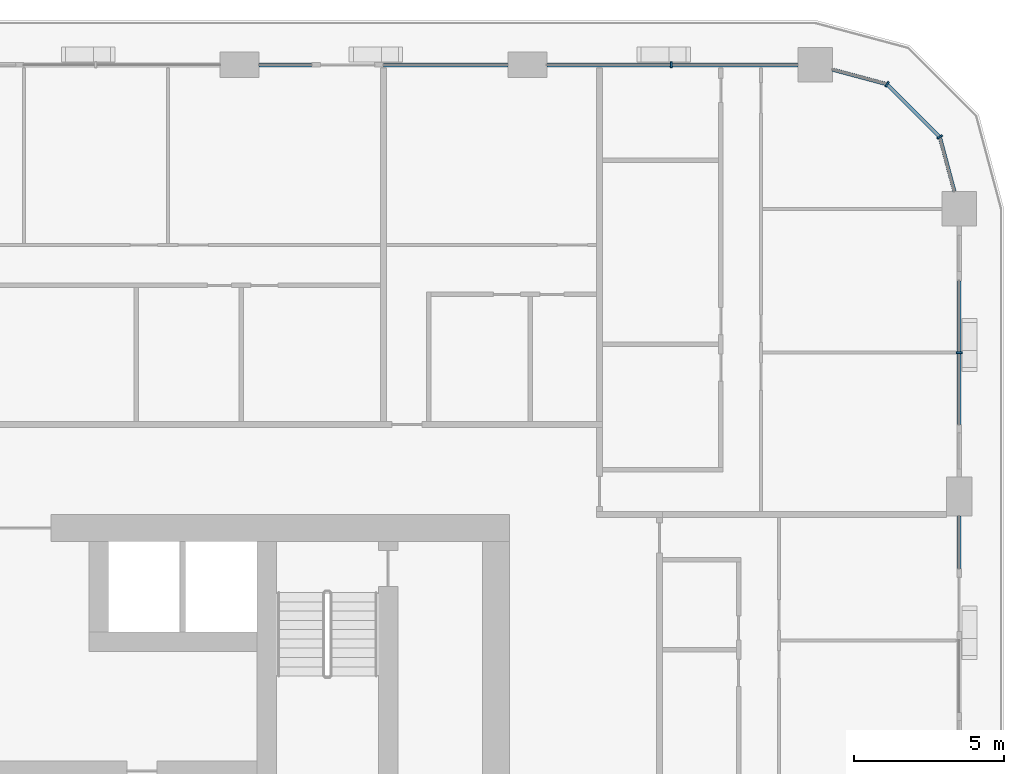
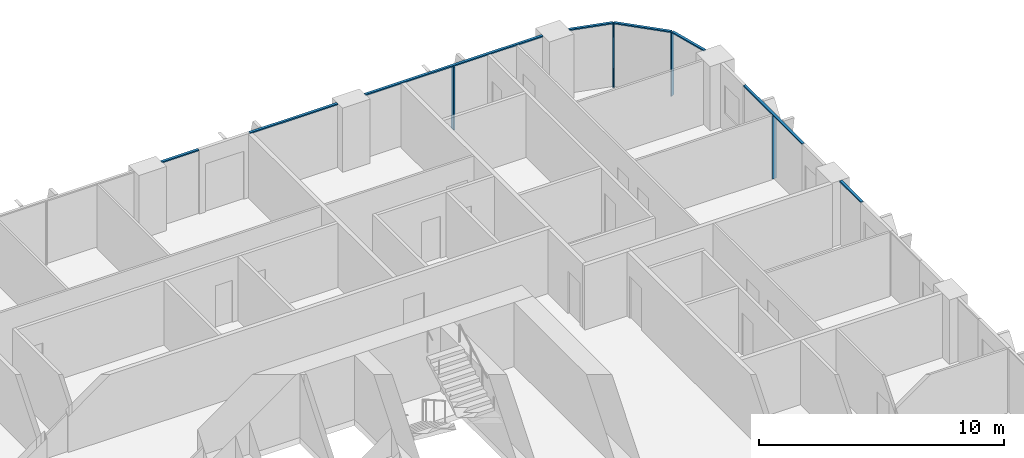
# One storey, part 6 of 21: 12 members, 5 elements without a shape of their own.
"""IFC4 building model written with IfcOpenShell, lengths in metres."""

from ifc_helpers import new_model, si_unit, direction, frame, origin, origin_2d, place, context, subcontext, project, spatial, rectangle, extrude, material, layer, layer_set, material_profile, profile_set, type_object, element, aggregate, save


model = new_model("IFC4")

# Units and contexts
model_context = context("Model", 3, precision=1e-05, world=origin(), true_north=direction((0.0, 1.0)))
body_context = subcontext(model_context, "Body", "Model", "MODEL_VIEW")
ifc_project = project(units=[si_unit("LENGTHUNIT", "METRE"), si_unit("AREAUNIT", "SQUARE_METRE"), si_unit("VOLUMEUNIT", "CUBIC_METRE"), si_unit("PLANEANGLEUNIT", "RADIAN"), si_unit("MASSUNIT", "GRAM", prefix="KILO")], contexts=[model_context])

# Site, building, storey
site_placement = place(None, origin())
site = spatial("IfcSite", under=ifc_project, at=site_placement, CompositionType="ELEMENT")
building_placement = place(site_placement, origin())
building = spatial("IfcBuilding", under=site, at=building_placement, Name="Madar Terraces", CompositionType="ELEMENT")
storey_placement = place(building_placement, frame((0.0, 0.0, 96.199951171875)))
storey = spatial("IfcBuildingStorey", under=building, at=storey_placement, Name="L24", CompositionType="ELEMENT", Elevation=96.199951171875)

# Curtain wall, member
ifc_material_1 = material(Name="Glass, ceramic frit dark grey, with black aluminium frame", Category="aluminium")
ifc_layer = layer(ifc_material_1, 0.199951171875)
ifc_layer_set = layer_set([ifc_layer], Name="Facade curtain wall, fritted glass")
curtain_wall_type = type_object("IfcCurtainWallType", Name="Facade curtain wall, fritted glass", PredefinedType="NOTDEFINED", material=ifc_layer_set)
curtain_wall_1_placement = place(storey_placement, origin())
curtain_wall_1 = element("IfcCurtainWall", 1, at=curtain_wall_1_placement, inside=storey, type_object=curtain_wall_type, Name="Outer skin curtain wall east bay 4", PredefinedType="NOTDEFINED")
ifc_material_2 = material(Name="Aluminium, black anodised", Category="aluminium")
ifc_material_profile_1 = material_profile(ifc_material_2, rectangle(XDim=0.199951171875, YDim=0.06005859375, at=origin_2d()), Name="Facade mullion 60x200")
ifc_profile_set_1 = profile_set([ifc_material_profile_1], Name="Aluminium, black anodised")
member_type_1 = type_object("IfcMemberType", Name="Facade mullion 60x200", PredefinedType="MULLION", material=ifc_profile_set_1)
member_1_placement = place(storey_placement, frame((62.39990234375, 43.199951171875, 0.0), z_axis=(0.0, 0.0, 1.0), x_axis=(-1.0, 0.0, 0.0)))
member_1 = element("IfcMember", 2, at=member_1_placement, type_object=member_type_1, Name="Mullion 1", PredefinedType="MULLION", context=body_context, shape_type="SweptSolid", body=[
    extrude(rectangle(XDim=0.199951171875, YDim=0.06005859375, at=origin_2d()), origin(), (0.0, 0.0, 1.0), 3.14013671875),
])

curtain_wall_2_placement = place(storey_placement, origin())
curtain_wall_2 = element("IfcCurtainWall", 3, at=curtain_wall_2_placement, inside=storey, type_object=curtain_wall_type, Name="Outer skin curtain wall north bay 1", PredefinedType="NOTDEFINED")
member_2_placement = place(storey_placement, frame((52.800048828125, 52.800048828125, 0.0), z_axis=(0.0, 0.0, 1.0), x_axis=(0.0, -1.0, 0.0)))
member_2 = element("IfcMember", 4, at=member_2_placement, type_object=member_type_1, Name="Mullion 1", PredefinedType="MULLION", context=body_context, shape_type="SweptSolid", body=[
    extrude(rectangle(XDim=0.199951171875, YDim=0.06005859375, at=origin_2d()), origin(), (0.0, 0.0, 1.0), 3.14013671875),
])

# Curtain wall, members
curtain_wall_3_placement = place(storey_placement, origin())
curtain_wall_3 = element("IfcCurtainWall", 5, at=curtain_wall_3_placement, inside=storey, type_object=curtain_wall_type, Name="Outer skin curtain wall north-east corner", PredefinedType="NOTDEFINED")
member_3_placement = place(storey_placement, frame((61.7568359375, 50.39990234375, 0.0), z_axis=(0.0, 0.0, 1.0), x_axis=(-0.866025409797, -0.499999989586, 0.0)))
member_3 = element("IfcMember", 6, at=member_3_placement, type_object=member_type_1, Name="Mullion 1", PredefinedType="MULLION", context=body_context, shape_type="SweptSolid", body=[
    extrude(rectangle(XDim=0.199951171875, YDim=0.06005859375, at=origin_2d()), origin(), (0.0, 0.0, 1.0), 3.14013671875),
])
member_4_placement = place(storey_placement, frame((60.0, 52.156982421875, 0.0), z_axis=(0.0, 0.0, 1.0), x_axis=(-0.499999989586, -0.866025409797, 0.0)))
member_4 = element("IfcMember", 7, at=member_4_placement, type_object=member_type_1, Name="Mullion 2", PredefinedType="MULLION", context=body_context, shape_type="SweptSolid", body=[
    extrude(rectangle(XDim=0.199951171875, YDim=0.06005859375, at=origin_2d()), origin(), (0.0, 0.0, 1.0), 3.14013671875),
])

# Curtain wall, member
curtain_wall_4_placement = place(storey_placement, origin())
curtain_wall_4 = element("IfcCurtainWall", 8, at=curtain_wall_4_placement, inside=storey, type_object=curtain_wall_type, Name="Outer skin curtain wall east bay 3", PredefinedType="NOTDEFINED")
ifc_material_3 = material(Name="Aluminium, black anodised", Category="aluminium")
ifc_material_profile_2 = material_profile(ifc_material_3, rectangle(XDim=0.1201171875, YDim=0.06005859375, at=origin_2d()), Name="Facade transom 60x120")
ifc_profile_set_2 = profile_set([ifc_material_profile_2], Name="Aluminium, black anodised")
member_type_2 = type_object("IfcMemberType", Name="Facade transom 60x120", PredefinedType="USERDEFINED", material=ifc_profile_set_2)
member_5_placement = place(storey_placement, frame((62.39990234375, 36.0, 3.170166015625), z_axis=(0.0, 1.0, 0.0), x_axis=(-1.0, 0.0, 0.0)))
member_5 = element("IfcMember", 9, at=member_5_placement, type_object=member_type_2, Name="Transom 2", ObjectType="TRANSOM", PredefinedType="USERDEFINED", context=body_context, shape_type="SweptSolid", body=[
    extrude(rectangle(XDim=0.1201171875, YDim=0.06005859375, at=origin_2d()), origin(), (0.0, 0.0, 1.0), 1.75),
])
aggregate(curtain_wall_4, [member_5])

# Member
member_6_placement = place(storey_placement, frame((62.39990234375, 40.800048828125, 3.170166015625), z_axis=(0.0, 1.0, 0.0), x_axis=(-1.0, 0.0, 0.0)))
member_6 = element("IfcMember", 10, at=member_6_placement, type_object=member_type_2, Name="Transom 1", ObjectType="TRANSOM", PredefinedType="USERDEFINED", context=body_context, shape_type="SweptSolid", body=[
    extrude(rectangle(XDim=0.1201171875, YDim=0.06005859375, at=origin_2d()), origin(), (0.0, 0.0, 1.0), 4.800048828125),
])

aggregate(curtain_wall_1, [member_1, member_6])

member_7_placement = place(storey_placement, frame((57.02490234375, 52.800048828125, 3.170166015625), z_axis=(-1.0, 0.0, 0.0), x_axis=(0.0, -1.0, 0.0)))
member_7 = element("IfcMember", 11, at=member_7_placement, type_object=member_type_2, Name="Transom 1", ObjectType="TRANSOM", PredefinedType="USERDEFINED", context=body_context, shape_type="SweptSolid", body=[
    extrude(rectangle(XDim=0.1201171875, YDim=0.06005859375, at=origin_2d()), origin(), (0.0, 0.0, 1.0), 8.375),
])

aggregate(curtain_wall_2, [member_2, member_7])

# Curtain wall, members
curtain_wall_5_placement = place(storey_placement, origin())
curtain_wall_5 = element("IfcCurtainWall", 12, at=curtain_wall_5_placement, inside=storey, type_object=curtain_wall_type, Name="Outer skin curtain wall north bay 2", PredefinedType="NOTDEFINED")
member_8_placement = place(storey_placement, frame((47.35009765625, 52.800048828125, 3.170166015625), z_axis=(-1.0, 0.0, 0.0), x_axis=(0.0, -1.0, 0.0)))
member_8 = element("IfcMember", 13, at=member_8_placement, type_object=member_type_2, Name="Transom 1", ObjectType="TRANSOM", PredefinedType="USERDEFINED", context=body_context, shape_type="SweptSolid", body=[
    extrude(rectangle(XDim=0.1201171875, YDim=0.06005859375, at=origin_2d()), origin(), (0.0, 0.0, 1.0), 4.150146484375),
])
member_9_placement = place(storey_placement, frame((40.800048828125, 52.800048828125, 3.170166015625), z_axis=(-1.0, 0.0, 0.0), x_axis=(0.0, -1.0, 0.0)))
member_9 = element("IfcMember", 14, at=member_9_placement, type_object=member_type_2, Name="Transom 2", ObjectType="TRANSOM", PredefinedType="USERDEFINED", context=body_context, shape_type="SweptSolid", body=[
    extrude(rectangle(XDim=0.1201171875, YDim=0.06005859375, at=origin_2d()), origin(), (0.0, 0.0, 1.0), 1.75),
])
aggregate(curtain_wall_5, [member_8, member_9])

# Member
member_10_placement = place(storey_placement, frame((62.245849609375, 48.574951171875, 3.170166015625), z_axis=(-0.258782024434, 0.965935745187, 0.0), x_axis=(-0.965935745187, -0.258782024434, 0.0)))
member_10 = element("IfcMember", 15, at=member_10_placement, type_object=member_type_2, Name="Transom 1", ObjectType="TRANSOM", PredefinedType="USERDEFINED", context=body_context, shape_type="SweptSolid", body=[
    extrude(rectangle(XDim=0.1201171875, YDim=0.06005859375, at=origin_2d()), origin(), (0.0, 0.0, 1.0), 1.859375),
])

member_11_placement = place(storey_placement, frame((61.735595703125, 50.421142578125, 3.170166015625), z_axis=(-0.707056433593, 0.707157125196, 0.0), x_axis=(-0.707157125196, -0.707056433593, 0.0)))
member_11 = element("IfcMember", 16, at=member_11_placement, type_object=member_type_2, Name="Transom 2", ObjectType="TRANSOM", PredefinedType="USERDEFINED", context=body_context, shape_type="SweptSolid", body=[
    extrude(rectangle(XDim=0.1201171875, YDim=0.06005859375, at=origin_2d()), origin(), (0.0, 0.0, 1.0), 2.424560546875),
])

member_12_placement = place(storey_placement, frame((59.970947265625, 52.164794921875, 3.170166015625), z_axis=(-0.965926950947, 0.258814847786, 0.0), x_axis=(-0.258814847786, -0.965926950947, 0.0)))
member_12 = element("IfcMember", 17, at=member_12_placement, type_object=member_type_2, Name="Transom 3", ObjectType="TRANSOM", PredefinedType="USERDEFINED", context=body_context, shape_type="SweptSolid", body=[
    extrude(rectangle(XDim=0.1201171875, YDim=0.06005859375, at=origin_2d()), origin(), (0.0, 0.0, 1.0), 1.859130859375),
])

aggregate(curtain_wall_3, [member_3, member_10, member_4, member_11, member_12])

save(model, "model.ifc")
